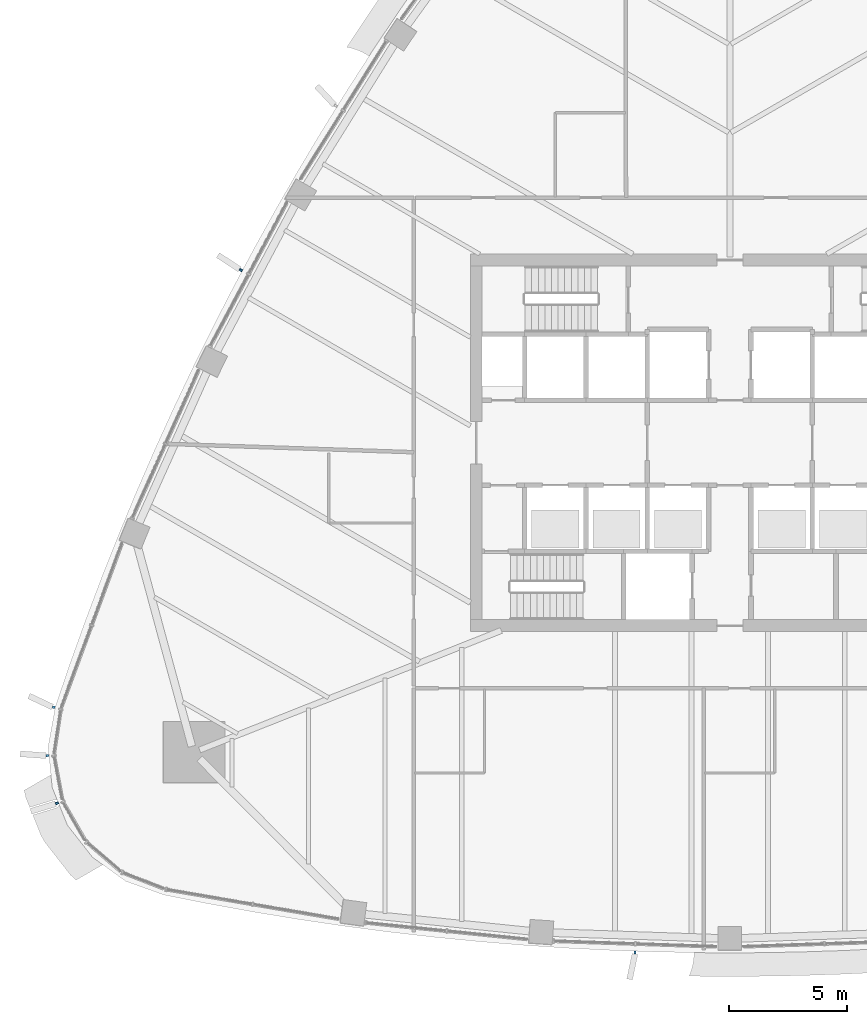
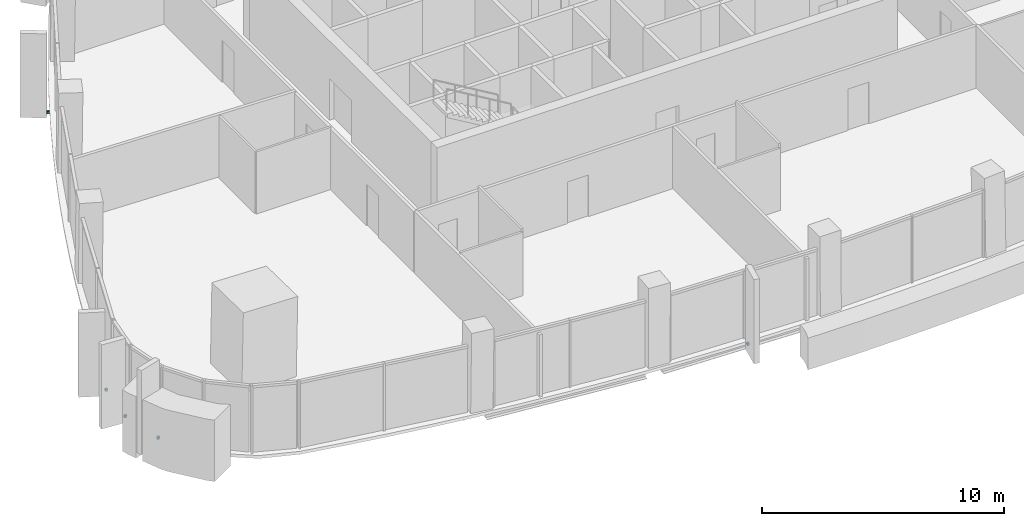
# One storey, part 13 of 19: 5 discrete accessories.
"""IFC4 building model written with IfcOpenShell, lengths in metres."""

from ifc_helpers import new_model, si_unit, direction, frame, origin, origin_2d, place, context, subcontext, project, spatial, rectangle, extrude, material, type_object, element, save


model = new_model("IFC4")

# Units and contexts
model_context = context("Model", 3, precision=1e-05, world=origin(), true_north=direction((0.0, 1.0)))
body_context = subcontext(model_context, "Body", "Model", "MODEL_VIEW")
ifc_project = project(units=[si_unit("LENGTHUNIT", "METRE"), si_unit("AREAUNIT", "SQUARE_METRE"), si_unit("VOLUMEUNIT", "CUBIC_METRE"), si_unit("PLANEANGLEUNIT", "RADIAN"), si_unit("MASSUNIT", "GRAM", prefix="KILO")], contexts=[model_context])

# Site, building, storey
site_placement = place(None, origin())
site = spatial("IfcSite", under=ifc_project, at=site_placement, CompositionType="ELEMENT")
building_placement = place(site_placement, origin())
building = spatial("IfcBuilding", under=site, at=building_placement, Name="Sierra Prisma Convention Tower", CompositionType="ELEMENT")
storey_placement = place(building_placement, frame((0.0, 0.0, 209.800048828125)))
storey = spatial("IfcBuildingStorey", under=building, at=storey_placement, Name="L47", CompositionType="ELEMENT", Elevation=209.800048828125)

# Discrete accessories
ifc_material = material(Name="Stainless steel 316", Category="steel")
discrete_accessory_type = type_object("IfcDiscreteAccessoryType", Name="Fin bracket", PredefinedType="BRACKET", material=ifc_material)
for number, where, z_axis, x_axis, name in (
    (1, (-4.020263671875, -21.61376953125, -0.135009765625), (0.0, 0.0, 1.0), (-0.032609485354, -0.999468169311, 0.0), "Fin bracket L47.8 base"),
    (2, (-20.728271484375, 7.3251953125, -0.135009765625), (0.0, 0.0, 1.0), (-0.881869567574, 0.471493441934, 0.0), "Fin bracket L47.55 base"),
    (3, (-28.663330078125, -11.21240234375, -0.135009765625), (0.0, 0.0, 1.0), (-0.983987552411, 0.178237192249, 0.0), "Fin bracket L47.62 base"),
    (4, (-28.9287109375, -13.26025390625, -0.135009765625), (0.0, 0.0, 1.0), (-0.994810375424, -0.101746336288, 0.0), "Fin bracket L47.63 base"),
    (5, (-28.52490234375, -15.2802734375, -0.135009765625), (0.0, 0.0, 1.0), (-0.927532715266, -0.373741972637, 0.0), "Fin bracket L47.64 base"),
):
    element("IfcDiscreteAccessory", number, at=place(storey_placement, frame(where, z_axis=z_axis, x_axis=x_axis)), inside=storey, type_object=discrete_accessory_type, Name=name, PredefinedType="BRACKET", context=body_context, shape_type="SweptSolid", body=[
        extrude(rectangle(XDim=0.1201171875, YDim=0.10009765625, at=origin_2d()), origin(), (0.0, 0.0, 1.0), 0.1201171875),
    ])

save(model, "model.ifc")
